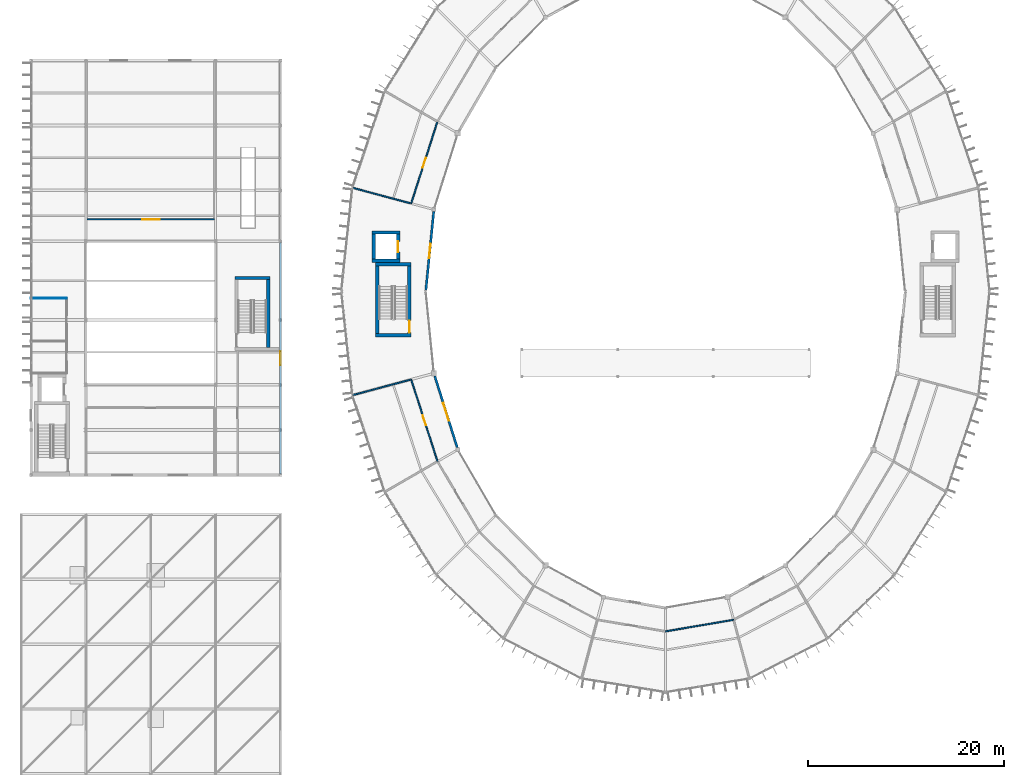
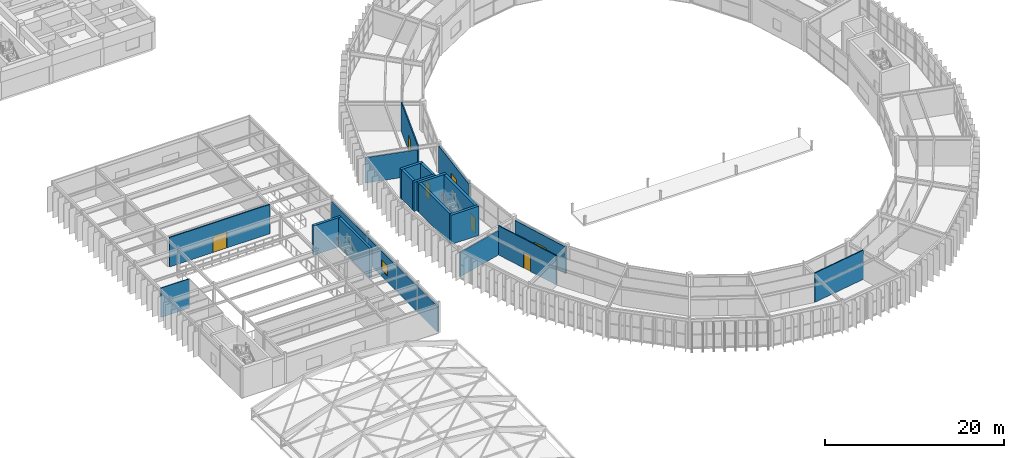
# One storey, part 138 of 157: 20 walls, 5 doors, 3 windows, 8 openings.
"""IFC4 building model written with IfcOpenShell, lengths in metres."""

from ifc_helpers import new_model, si_unit, direction, frame, frame_2d, origin, place, context, subcontext, project, spatial, rectangle, extrude, material, layer, layer_set, type_object, element, fill, save


model = new_model("IFC4")

# Units and contexts
model_context = context("Model", 3, precision=1e-05, world=origin(), true_north=direction((0.0, 1.0)))
body_context = subcontext(model_context, "Body", "Model", "MODEL_VIEW")
ifc_project = project(units=[si_unit("LENGTHUNIT", "METRE"), si_unit("AREAUNIT", "SQUARE_METRE"), si_unit("VOLUMEUNIT", "CUBIC_METRE"), si_unit("PLANEANGLEUNIT", "RADIAN"), si_unit("MASSUNIT", "GRAM", prefix="KILO")], contexts=[model_context])

# Site, building, storey
site_placement = place(None, origin())
site = spatial("IfcSite", under=ifc_project, at=site_placement, CompositionType="ELEMENT")
building_placement = place(site_placement, origin())
building = spatial("IfcBuilding", under=site, at=building_placement, Name="Karori Crest Natural Sciences Institute", CompositionType="ELEMENT")
storey_placement = place(building_placement, frame((0.0, 0.0, 13.300048828125)))
storey = spatial("IfcBuildingStorey", under=building, at=storey_placement, Name="L03", CompositionType="ELEMENT", Elevation=13.300048828125)

# Walls
ifc_material_1 = material(Name="Concrete 50 MPa", Category="concrete")
ifc_layer_1 = layer(ifc_material_1, 0.35009765625, Name="Concrete 50 MPa")
ifc_layer_set_1 = layer_set([ifc_layer_1], Name="Concrete 50 MPa")
wall_type_1 = type_object("IfcWallType", Name="IWT-02", PredefinedType="SHEAR", material=ifc_layer_set_1)
for number, where, z_axis, x_axis, name in (
    (1, (36.89990234375, 45.425048828125, 0.0), (0.0, 0.0, 1.0), (1.0, 0.0, 0.0), "Shear wall IW-0053"),
    (2, (36.89990234375, 52.675048828125, 0.0), (0.0, 0.0, 1.0), (1.0, 0.0, 0.0), "Shear wall IW-0054"),
):
    element("IfcWall", number, at=place(storey_placement, frame(where, z_axis=z_axis, x_axis=x_axis)), inside=storey, type_object=wall_type_1, Name=name, PredefinedType="SHEAR", context=body_context, shape_type="SweptSolid", body=[
        extrude(rectangle(XDim=3.60009765625, YDim=0.35009765625, at=frame_2d((1.800048828125, 0.0))), origin(), (0.0, 0.0, 1.0), 3.97998046875),
    ])
wall_1_placement = place(storey_placement, frame((37.074951171875, 45.60205078125, 0.0), z_axis=(0.0, 0.0, 1.0), x_axis=(0.0, 1.0, 0.0)))
element("IfcWall", 3, at=wall_1_placement, inside=storey, type_object=wall_type_1, Name="Shear wall IW-0055", PredefinedType="SHEAR", context=body_context, shape_type="SweptSolid", body=[
    extrude(rectangle(XDim=6.89599609375, YDim=0.35009765625, at=frame_2d((3.447998046875, 0.0))), origin(), (0.0, 0.0, 1.0), 3.97998046875),
])

# Wall, opening, door
wall_2_placement = place(storey_placement, frame((40.324951171875, 45.60205078125, 0.0), z_axis=(0.0, 0.0, 1.0), x_axis=(0.0, 1.0, 0.0)))
wall_2 = element("IfcWall", 4, at=wall_2_placement, inside=storey, type_object=wall_type_1, Name="Shear wall IW-0056", PredefinedType="SHEAR", context=body_context, shape_type="SweptSolid", body=[
    extrude(rectangle(XDim=6.89599609375, YDim=0.35009765625, at=frame_2d((3.447998046875, 0.0))), origin(), (0.0, 0.0, 1.0), 3.97998046875),
])
opening_1_placement = place(wall_2_placement, frame((0.1201171875, 0.0, 0.0)))
opening_1 = element("IfcOpeningElement", 5, at=opening_1_placement, cuts=wall_2, Name="Opening ID-0014", PredefinedType="OPENING", context=body_context, shape_type="SweptSolid", body=[
    extrude(rectangle(XDim=1.199951171875, YDim=2.14990234375, at=frame_2d((0.60009765625, 1.074951171875))), frame((0.0, 0.18505859375, 0.0), z_axis=(0.0, -1.0, 0.0), x_axis=(1.0, 0.0, 0.0)), (0.0, 0.0, 1.0), 0.3701171875),
])
ifc_material_2 = material(Name="Stainless steel 316 and fire-rated timber", Category="steel")
door_type_1 = type_object("IfcDoorType", Name="IDT-01", OperationType="NOTDEFINED", PredefinedType="DOOR", material=ifc_material_2)
door_1_placement = place(opening_1_placement, origin())
door_1 = element("IfcDoor", 6, at=door_1_placement, inside=storey, type_object=door_type_1, Name="Stair ST-02 fire door ID-0014", OperationType="SINGLE_SWING_RIGHT", OverallHeight=2.14990234375, OverallWidth=1.199951171875, PredefinedType="DOOR", context=body_context, shape_type="SweptSolid", body=[
    extrude(rectangle(XDim=1.199951171875, YDim=2.14990234375, at=frame_2d((0.60009765625, 1.074951171875))), frame((0.0, 0.02490234375, 0.0), z_axis=(0.0, -1.0, 0.0), x_axis=(1.0, 0.0, 0.0)), (0.0, 0.0, 1.0), 0.050048828125),
])
fill(opening_1, door_1)

# Walls
ifc_layer_2 = layer(ifc_material_1, 0.320068359375, Name="Concrete 50 MPa")
ifc_layer_set_2 = layer_set([ifc_layer_2], Name="Concrete 50 MPa")
wall_type_2 = type_object("IfcWallType", Name="IWT-03", PredefinedType="SHEAR", material=ifc_layer_set_2)
wall_3_placement = place(storey_placement, frame((22.580078125, 51.260009765625, 0.0), z_axis=(0.0, 0.0, 1.0), x_axis=(1.0, 0.0, 0.0)))
element("IfcWall", 7, at=wall_3_placement, inside=storey, type_object=wall_type_2, Name="Shear wall IW-0266", PredefinedType="SHEAR", context=body_context, shape_type="SweptSolid", body=[
    extrude(rectangle(XDim=3.5400390625, YDim=0.320068359375, at=frame_2d((1.77001953125, 0.0))), origin(), (0.0, 0.0, 1.0), 4.0),
])
wall_4_placement = place(storey_placement, frame((25.9599609375, 44.201904296875, 0.0), z_axis=(0.0, 0.0, 1.0), x_axis=(0.0, 1.0, 0.0)))
element("IfcWall", 8, at=wall_4_placement, inside=storey, type_object=wall_type_2, Name="Shear wall IW-0268", PredefinedType="SHEAR", context=body_context, shape_type="SweptSolid", body=[
    extrude(rectangle(XDim=6.89599609375, YDim=0.320068359375, at=frame_2d((3.447998046875, 0.0))), origin(), (0.0, 0.0, 1.0), 4.0),
])
for number, where, z_axis, x_axis, name in (
    (9, (36.544921875, 53.030029296875, 0.0), (0.0, 0.0, 1.0), (1.0, 0.0, 0.0), "Shear wall IW-0453"),
    (10, (36.544921875, 55.89501953125, 0.0), (0.0, 0.0, 1.0), (1.0, 0.0, 0.0), "Shear wall IW-0454"),
):
    element("IfcWall", number, at=place(storey_placement, frame(where, z_axis=z_axis, x_axis=x_axis)), inside=storey, type_object=wall_type_2, Name=name, PredefinedType="SHEAR", context=body_context, shape_type="SweptSolid", body=[
        extrude(rectangle(XDim=2.81005859375, YDim=0.320068359375, at=frame_2d((1.405029296875, 0.0))), origin(), (0.0, 0.0, 1.0), 3.97998046875),
    ])
wall_5_placement = place(storey_placement, frame((36.705078125, 53.19189453125, 0.0), z_axis=(0.0, 0.0, 1.0), x_axis=(0.0, 1.0, 0.0)))
element("IfcWall", 11, at=wall_5_placement, inside=storey, type_object=wall_type_2, Name="Shear wall IW-0455", PredefinedType="SHEAR", context=body_context, shape_type="SweptSolid", body=[
    extrude(rectangle(XDim=2.541015625, YDim=0.320068359375, at=frame_2d((1.2705078125, 0.0))), origin(), (0.0, 0.0, 1.0), 3.97998046875),
])

# Wall, opening, door
wall_6_placement = place(storey_placement, frame((39.195068359375, 53.19189453125, 0.0), z_axis=(0.0, 0.0, 1.0), x_axis=(0.0, 1.0, 0.0)))
wall_6 = element("IfcWall", 12, at=wall_6_placement, inside=storey, type_object=wall_type_2, Name="Shear wall IW-0456", PredefinedType="SHEAR", context=body_context, shape_type="SweptSolid", body=[
    extrude(rectangle(XDim=2.541015625, YDim=0.320068359375, at=frame_2d((1.2705078125, 0.0))), origin(), (0.0, 0.0, 1.0), 3.97998046875),
])
opening_2_placement = place(wall_6_placement, frame((0.720458984375, 0.0, 0.0)))
opening_2 = element("IfcOpeningElement", 13, at=opening_2_placement, cuts=wall_6, Name="Opening LD-0038", PredefinedType="OPENING", context=body_context, shape_type="SweptSolid", body=[
    extrude(rectangle(XDim=1.10009765625, YDim=2.14990234375, at=frame_2d((0.550048828125, 1.074951171875))), frame((0.0, 0.169921875, 0.0), z_axis=(0.0, -1.0, 0.0), x_axis=(1.0, 0.0, 0.0)), (0.0, 0.0, 1.0), 0.340087890625),
])
door_type_2 = type_object("IfcDoorType", Name="LDT-01", OperationType="SLIDING_TO_LEFT", PredefinedType="DOOR", material=ifc_material_2)
door_2_placement = place(opening_2_placement, origin())
door_2 = element("IfcDoor", 14, at=door_2_placement, inside=storey, type_object=door_type_2, Name="Lift LP-02 landing door LD-0038", OperationType="SLIDING_TO_LEFT", OverallHeight=2.14990234375, OverallWidth=1.10009765625, PredefinedType="DOOR", context=body_context, shape_type="SweptSolid", body=[
    extrude(rectangle(XDim=1.10009765625, YDim=2.14990234375, at=frame_2d((0.550048828125, 1.074951171875))), frame((0.0, 0.02490234375, 0.0), z_axis=(0.0, -1.0, 0.0), x_axis=(1.0, 0.0, 0.0)), (0.0, 0.0, 1.0), 0.050048828125),
])
fill(opening_2, door_2)

ifc_material_3 = material(Name="Laboratory acoustic drywall partition")
ifc_layer_3 = layer(ifc_material_3, 0.139892578125, Name="Laboratory acoustic drywall partition")
ifc_layer_set_3 = layer_set([ifc_layer_3], Name="Laboratory acoustic drywall partition")
wall_type_3 = type_object("IfcWallType", Name="IWT-07", PredefinedType="PARTITIONING", material=ifc_layer_set_3)
wall_7_placement = place(storey_placement, frame((7.531982421875, 57.25, 0.0), z_axis=(0.0, 0.0, 1.0), x_axis=(1.0, 0.0, 0.0)))
wall_7 = element("IfcWall", 15, at=wall_7_placement, inside=storey, type_object=wall_type_3, Name="Partition wall IW-1115", PredefinedType="PARTITIONING", context=body_context, shape_type="SweptSolid", body=[
    extrude(rectangle(XDim=12.968017578125, YDim=0.139892578125, at=frame_2d((6.48388671875, 0.0))), origin(), (0.0, 0.0, 1.0), 4.0),
])
opening_3_placement = place(wall_7_placement, frame((5.583984375, 0.0, 0.0)))
opening_3 = element("IfcOpeningElement", 16, at=opening_3_placement, cuts=wall_7, Name="Opening ID-0325", PredefinedType="OPENING", context=body_context, shape_type="SweptSolid", body=[
    extrude(rectangle(XDim=1.800048828125, YDim=2.199951171875, at=frame_2d((0.89990234375, 1.10009765625))), frame((0.0, 0.080078125, 0.0), z_axis=(0.0, -1.0, 0.0), x_axis=(1.0, 0.0, 0.0)), (0.0, 0.0, 1.0), 0.159912109375),
])
door_type_3 = type_object("IfcDoorType", Name="IDT-15", OperationType="DOUBLE_DOOR_SINGLE_SWING", PredefinedType="DOOR", material=ifc_material_2)
door_3_placement = place(opening_3_placement, origin())
door_3 = element("IfcDoor", 17, at=door_3_placement, inside=storey, type_object=door_type_3, Name="Marine Biodiversity Exhibition Suite door ID-0325", OperationType="DOUBLE_DOOR_SINGLE_SWING", OverallHeight=2.199951171875, OverallWidth=1.800048828125, PredefinedType="DOOR", context=body_context, shape_type="SweptSolid", body=[
    extrude(rectangle(XDim=1.800048828125, YDim=2.199951171875, at=frame_2d((0.89990234375, 1.10009765625))), frame((0.0, 0.02490234375, 0.0), z_axis=(0.0, -1.0, 0.0), x_axis=(1.0, 0.0, 0.0)), (0.0, 0.0, 1.0), 0.050048828125),
])
fill(opening_3, door_3)

wall_8_placement = place(storey_placement, frame((43.16796875, 67.1298828125, 0.0), z_axis=(0.0, 0.0, 1.0), x_axis=(-0.305487150125, -0.952196198852, 0.0)))
wall_8 = element("IfcWall", 18, at=wall_8_placement, inside=storey, type_object=wall_type_3, Name="Partition wall IW-1307", PredefinedType="PARTITIONING", context=body_context, shape_type="SweptSolid", body=[
    extrude(rectangle(XDim=8.6904296875, YDim=0.139892578125, at=frame_2d((4.34521484375, 0.0))), origin(), (0.0, 0.0, 1.0), 3.97998046875),
])
opening_4_placement = place(wall_8_placement, frame((3.820068359375, 0.0, 0.0)))
opening_4 = element("IfcOpeningElement", 19, at=opening_4_placement, cuts=wall_8, Name="Opening ID-0407", PredefinedType="OPENING", context=body_context, shape_type="SweptSolid", body=[
    extrude(rectangle(XDim=1.050048828125, YDim=2.14990234375, at=frame_2d((0.52490234375, 1.074951171875))), frame((0.0, 0.080078125, 0.0), z_axis=(0.0, -1.0, 0.0), x_axis=(1.0, 0.0, 0.0)), (0.0, 0.0, 1.0), 0.159912109375),
])
door_type_4 = type_object("IfcDoorType", Name="IDT-03", OperationType="NOTDEFINED", PredefinedType="DOOR", material=ifc_material_2)
door_4_placement = place(opening_4_placement, origin())
door_4 = element("IfcDoor", 20, at=door_4_placement, inside=storey, type_object=door_type_4, Name="Organic Biogeochemistry Laboratory door ID-0407", OperationType="SINGLE_SWING_LEFT", OverallHeight=2.14990234375, OverallWidth=1.050048828125, PredefinedType="DOOR", context=body_context, shape_type="SweptSolid", body=[
    extrude(rectangle(XDim=1.050048828125, YDim=2.14990234375, at=frame_2d((0.52490234375, 1.074951171875))), frame((0.0, 0.02490234375, 0.0), z_axis=(0.0, -1.0, 0.0), x_axis=(1.0, 0.0, 0.0)), (0.0, 0.0, 1.0), 0.050048828125),
])
fill(opening_4, door_4)

# Wall
wall_9_placement = place(storey_placement, frame((40.435791015625, 58.875732421875, 0.0), z_axis=(0.0, 0.0, 1.0), x_axis=(-0.965916578341, 0.258853556448, 0.0)))
element("IfcWall", 21, at=wall_9_placement, inside=storey, type_object=wall_type_3, Name="Partition wall IW-1308", PredefinedType="PARTITIONING", context=body_context, shape_type="SweptSolid", body=[
    extrude(rectangle(XDim=6.059814453125, YDim=0.139892578125, at=frame_2d((3.02978515625, 0.0))), origin(), (0.0, 0.0, 1.0), 3.46484375),
])

# Wall, opening, door
wall_10_placement = place(storey_placement, frame((40.51318359375, 40.94482421875, 0.0), z_axis=(0.0, 0.0, 1.0), x_axis=(0.305493323507, -0.952194218263, 0.0)))
wall_10 = element("IfcWall", 22, at=wall_10_placement, inside=storey, type_object=wall_type_3, Name="Partition wall IW-1309", PredefinedType="PARTITIONING", context=body_context, shape_type="SweptSolid", body=[
    extrude(rectangle(XDim=8.763671875, YDim=0.139892578125, at=frame_2d((4.3818359375, 0.0))), origin(), (0.0, 0.0, 1.0), 3.97998046875),
])
opening_5_placement = place(wall_10_placement, frame((3.85693359375, 0.0, 0.0)))
opening_5 = element("IfcOpeningElement", 23, at=opening_5_placement, cuts=wall_10, Name="Opening ID-0408", PredefinedType="OPENING", context=body_context, shape_type="SweptSolid", body=[
    extrude(rectangle(XDim=1.050048828125, YDim=2.14990234375, at=frame_2d((0.52490234375, 1.074951171875))), frame((0.0, 0.080078125, 0.0), z_axis=(0.0, -1.0, 0.0), x_axis=(1.0, 0.0, 0.0)), (0.0, 0.0, 1.0), 0.159912109375),
])
door_5_placement = place(opening_5_placement, origin())
door_5 = element("IfcDoor", 24, at=door_5_placement, inside=storey, type_object=door_type_4, Name="Mass Spectrometry Instrument Room door ID-0408", OperationType="SINGLE_SWING_RIGHT", OverallHeight=2.14990234375, OverallWidth=1.050048828125, PredefinedType="DOOR", context=body_context, shape_type="SweptSolid", body=[
    extrude(rectangle(XDim=1.050048828125, YDim=2.14990234375, at=frame_2d((0.52490234375, 1.074951171875))), frame((0.0, 0.02490234375, 0.0), z_axis=(0.0, -1.0, 0.0), x_axis=(1.0, 0.0, 0.0)), (0.0, 0.0, 1.0), 0.050048828125),
])
fill(opening_5, door_5)

# Walls
wall_11_placement = place(storey_placement, frame((40.435791015625, 40.92431640625, 0.0), z_axis=(0.0, 0.0, 1.0), x_axis=(-0.965916578341, -0.258853556448, 0.0)))
element("IfcWall", 25, at=wall_11_placement, inside=storey, type_object=wall_type_3, Name="Partition wall IW-1310", PredefinedType="PARTITIONING", context=body_context, shape_type="SweptSolid", body=[
    extrude(rectangle(XDim=6.059814453125, YDim=0.139892578125, at=frame_2d((3.02978515625, 0.0))), origin(), (0.0, 0.0, 1.0), 3.322998046875),
])
wall_12_placement = place(storey_placement, frame((66.402099609375, 15.30029296875, 0.0), z_axis=(0.0, 0.0, 1.0), x_axis=(0.985858771321, 0.167578289193, 0.0)))
element("IfcWall", 26, at=wall_12_placement, inside=storey, type_object=wall_type_3, Name="Partition wall IW-1318", PredefinedType="PARTITIONING", context=body_context, shape_type="SweptSolid", body=[
    extrude(rectangle(XDim=7.03369140625, YDim=0.139892578125, at=frame_2d((3.516845703125, 0.0))), origin(), (0.0, 0.0, 1.0), 3.97998046875),
])
ifc_material_4 = material(Name="Washroom moisture-resistant partition")
ifc_layer_4 = layer(ifc_material_4, 0.10009765625, Name="Washroom moisture-resistant partition")
ifc_layer_set_4 = layer_set([ifc_layer_4], Name="Washroom moisture-resistant partition")
wall_type_4 = type_object("IfcWallType", Name="IWT-09", PredefinedType="PARTITIONING", material=ifc_layer_set_4)
wall_13_placement = place(storey_placement, frame((1.800048828125, 49.199951171875, 0.0), z_axis=(0.0, 0.0, 1.0), x_axis=(1.0, 0.0, 0.0)))
element("IfcWall", 27, at=wall_13_placement, inside=storey, type_object=wall_type_4, Name="Partition wall IW-1125", PredefinedType="PARTITIONING", context=body_context, shape_type="SweptSolid", body=[
    extrude(rectangle(XDim=3.64990234375, YDim=0.10009765625, at=frame_2d((1.824951171875, 0.0))), origin(), (0.0, 0.0, 1.0), 4.0),
])

# Wall, opening, window
ifc_material_5 = material(Name="Precast concrete 40 MPa", Category="concrete")
ifc_layer_5 = layer(ifc_material_5, 0.239990234375, Name="Precast concrete 40 MPa")
ifc_layer_set_5 = layer_set([ifc_layer_5], Name="Precast concrete 40 MPa")
wall_type_5 = type_object("IfcWallType", Name="WT-04", PredefinedType="SOLIDWALL", material=ifc_layer_set_5)
wall_14_placement = place(storey_placement, frame((42.8115234375, 58.035888671875, 0.0), z_axis=(0.0, 0.0, 1.0), x_axis=(-0.099255190182, -0.995062011747, 0.0)))
wall_14 = element("IfcWall", 28, at=wall_14_placement, inside=storey, type_object=wall_type_5, Name="Exterior wall EW-0069", PredefinedType="SOLIDWALL", context=body_context, shape_type="SweptSolid", body=[
    extrude(rectangle(XDim=8.07275390625, YDim=0.239990234375, at=frame_2d((4.036376953125, 0.0))), origin(), (0.0, 0.0, 1.0), 3.64990234375),
])
opening_6_placement = place(wall_14_placement, frame((3.311279296875, 0.0, 0.85009765625)))
opening_6 = element("IfcOpeningElement", 29, at=opening_6_placement, cuts=wall_14, Name="Opening WN-0025", PredefinedType="OPENING", context=body_context, shape_type="SweptSolid", body=[
    extrude(rectangle(XDim=1.449951171875, YDim=1.25, at=frame_2d((0.72509765625, 0.625))), frame((0.0, 0.1298828125, 0.0), z_axis=(0.0, -1.0, 0.0), x_axis=(1.0, 0.0, 0.0)), (0.0, 0.0, 1.0), 0.260009765625),
])
ifc_material_6 = material(Name="Double low-E laminated glass", Category="glass")
window_type_1 = type_object("IfcWindowType", Name="WNT-12", PartitioningType="SINGLE_PANEL", PredefinedType="WINDOW", material=ifc_material_6)
window_1_placement = place(opening_6_placement, origin())
window_1 = element("IfcWindow", 30, at=window_1_placement, inside=storey, type_object=window_type_1, Name="Window WN-0025", OverallHeight=1.25, OverallWidth=1.449951171875, PartitioningType="SINGLE_PANEL", PredefinedType="WINDOW", context=body_context, shape_type="SweptSolid", body=[
    extrude(rectangle(XDim=1.449951171875, YDim=1.25, at=frame_2d((0.72509765625, 0.625))), frame((0.0, 0.030029296875, 0.0), z_axis=(0.0, -1.0, 0.0), x_axis=(1.0, 0.0, 0.0)), (0.0, 0.0, 1.0), 0.06005859375),
])
fill(opening_6, window_1)

wall_15_placement = place(storey_placement, frame((42.9169921875, 41.29296875, 0.0), z_axis=(0.0, 0.0, 1.0), x_axis=(0.299482000987, -0.954101950048, 0.0)))
wall_15 = element("IfcWall", 31, at=wall_15_placement, inside=storey, type_object=wall_type_5, Name="Exterior wall EW-0070", PredefinedType="SOLIDWALL", context=body_context, shape_type="SweptSolid", body=[
    extrude(rectangle(XDim=7.645751953125, YDim=0.239990234375, at=frame_2d((3.82275390625, 0.0))), origin(), (0.0, 0.0, 1.0), 3.64990234375),
])
opening_7_placement = place(wall_15_placement, frame((2.872802734375, 0.0, 0.85009765625)))
opening_7 = element("IfcOpeningElement", 32, at=opening_7_placement, cuts=wall_15, Name="Opening WN-0026", PredefinedType="OPENING", context=body_context, shape_type="SweptSolid", body=[
    extrude(rectangle(XDim=1.89990234375, YDim=1.25, at=frame_2d((0.949951171875, 0.625))), frame((0.0, 0.1298828125, 0.0), z_axis=(0.0, -1.0, 0.0), x_axis=(1.0, 0.0, 0.0)), (0.0, 0.0, 1.0), 0.260009765625),
])
window_type_2 = type_object("IfcWindowType", Name="WNT-14", PartitioningType="SINGLE_PANEL", PredefinedType="WINDOW", material=ifc_material_6)
window_2_placement = place(opening_7_placement, origin())
window_2 = element("IfcWindow", 33, at=window_2_placement, inside=storey, type_object=window_type_2, Name="Window WN-0026", OverallHeight=1.25, OverallWidth=1.89990234375, PartitioningType="SINGLE_PANEL", PredefinedType="WINDOW", context=body_context, shape_type="SweptSolid", body=[
    extrude(rectangle(XDim=1.89990234375, YDim=1.25, at=frame_2d((0.949951171875, 0.625))), frame((0.0, 0.030029296875, 0.0), z_axis=(0.0, -1.0, 0.0), x_axis=(1.0, 0.0, 0.0)), (0.0, 0.0, 1.0), 0.06005859375),
])
fill(opening_7, window_2)

ifc_layer_6 = layer(ifc_material_5, 0.219970703125, Name="Precast concrete 40 MPa")
ifc_layer_set_6 = layer_set([ifc_layer_6], Name="Precast concrete 40 MPa")
wall_type_6 = type_object("IfcWallType", Name="WT-05", PredefinedType="SOLIDWALL", material=ifc_layer_set_6)
wall_16_placement = place(storey_placement, frame((27.199951171875, 54.876953125, 0.0), z_axis=(0.0, 0.0, 1.0), x_axis=(0.0, -1.0, 0.0)))
wall_16 = element("IfcWall", 34, at=wall_16_placement, inside=storey, type_object=wall_type_6, Name="Exterior wall EW-0147", PredefinedType="SOLIDWALL", context=body_context, shape_type="SweptSolid", body=[
    extrude(rectangle(XDim=23.553955078125, YDim=0.219970703125, at=frame_2d((11.77685546875, 0.0))), origin(), (0.0, 0.0, 1.0), 3.445068359375),
])
opening_8_placement = place(wall_16_placement, frame((11.076904296875, 0.0, 0.85009765625)))
opening_8 = element("IfcOpeningElement", 35, at=opening_8_placement, cuts=wall_16, Name="Opening WN-0089", PredefinedType="OPENING", context=body_context, shape_type="SweptSolid", body=[
    extrude(rectangle(XDim=1.39990234375, YDim=1.39990234375, at=frame_2d((0.699951171875, 0.699951171875))), frame((0.0, 0.1201171875, 0.0), z_axis=(0.0, -1.0, 0.0), x_axis=(1.0, 0.0, 0.0)), (0.0, 0.0, 1.0), 0.239990234375),
])
window_type_3 = type_object("IfcWindowType", Name="WNT-03", PartitioningType="SINGLE_PANEL", PredefinedType="WINDOW", material=ifc_material_6)
window_3_placement = place(opening_8_placement, origin())
window_3 = element("IfcWindow", 36, at=window_3_placement, inside=storey, type_object=window_type_3, Name="Window WN-0089", OverallHeight=1.39990234375, OverallWidth=1.39990234375, PartitioningType="SINGLE_PANEL", PredefinedType="WINDOW", context=body_context, shape_type="SweptSolid", body=[
    extrude(rectangle(XDim=1.39990234375, YDim=1.39990234375, at=frame_2d((0.699951171875, 0.699951171875))), frame((0.0, 0.030029296875, 0.0), z_axis=(0.0, -1.0, 0.0), x_axis=(1.0, 0.0, 0.0)), (0.0, 0.0, 1.0), 0.06005859375),
])
fill(opening_8, window_3)

save(model, "model.ifc")
